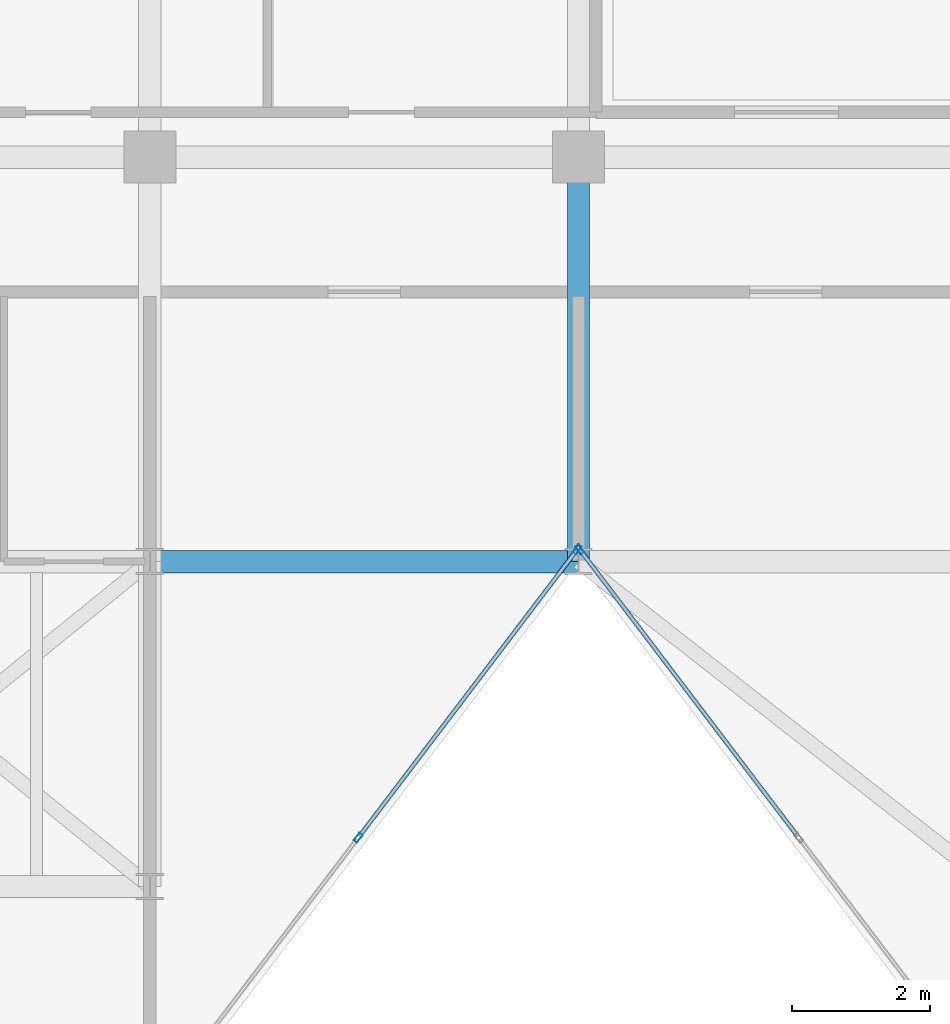
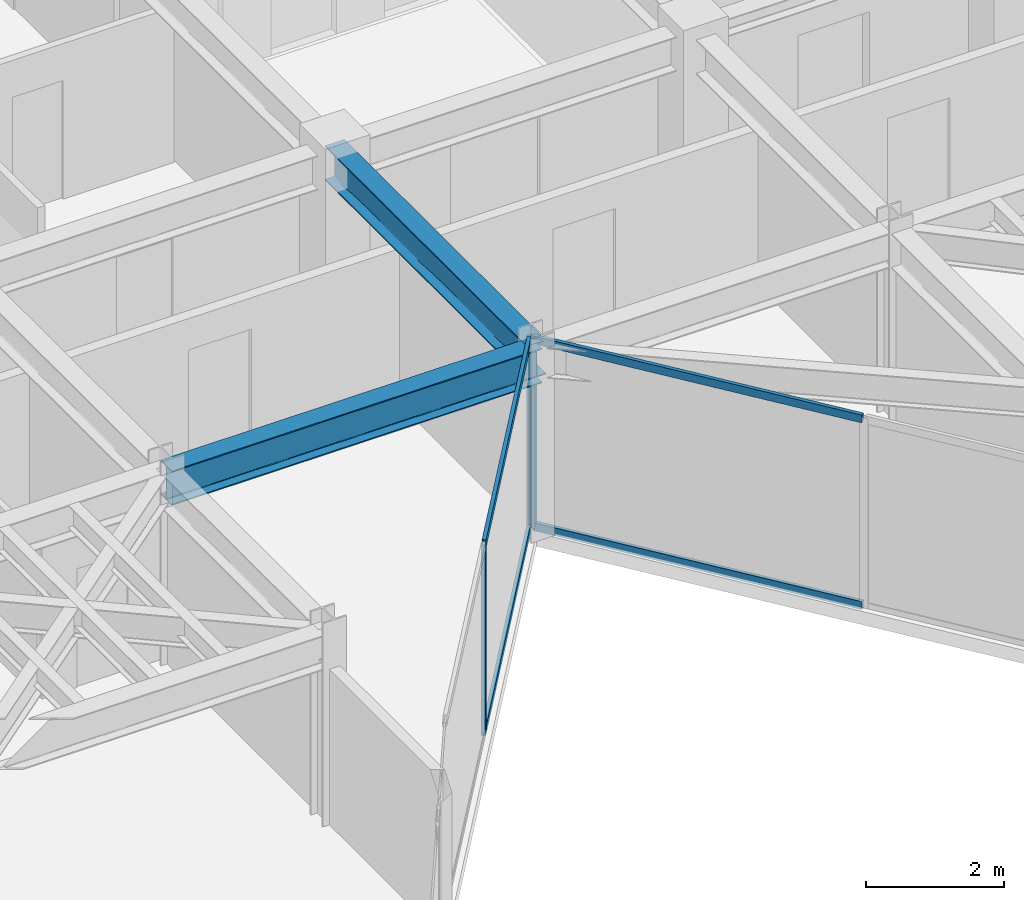
# One storey, part 4 of 17: 7 members, 2 beams, 2 elements without a shape of their own.
"""IFC4 building model written with IfcOpenShell, lengths in metres."""

from ifc_helpers import new_model, si_unit, direction, frame, origin, origin_2d, place, context, subcontext, project, spatial, hollow_rectangle, i_section, extrude, material, layer, layer_set, material_profile, profile_set, type_object, element, aggregate, save


model = new_model("IFC4")

# Units and contexts
model_context = context("Model", 3, precision=1e-05, world=origin(), true_north=direction((0.0, 1.0)))
body_context = subcontext(model_context, "Body", "Model", "MODEL_VIEW")
ifc_project = project(units=[si_unit("LENGTHUNIT", "METRE"), si_unit("AREAUNIT", "SQUARE_METRE"), si_unit("VOLUMEUNIT", "CUBIC_METRE"), si_unit("PLANEANGLEUNIT", "RADIAN"), si_unit("MASSUNIT", "GRAM", prefix="KILO")], contexts=[model_context])

# Site, building, storey
site_placement = place(None, origin())
site = spatial("IfcSite", under=ifc_project, at=site_placement, CompositionType="ELEMENT")
building_placement = place(site_placement, origin())
building = spatial("IfcBuilding", under=site, at=building_placement, Name="Kravanh Interchange Tower", CompositionType="ELEMENT")
storey_placement = place(building_placement, frame((0.0, 0.0, 289.5)))
storey = spatial("IfcBuildingStorey", under=building, at=storey_placement, Name="L71", CompositionType="ELEMENT", Elevation=289.5)

# Curtain wall, member
ifc_material_1 = material(Name="Anodised Bronze Aluminium", Category="aluminium")
ifc_layer = layer(ifc_material_1, 0.179931640625)
ifc_layer_set = layer_set([ifc_layer], Name="Unitised Curtain Wall System CW-HTL Luxury Hotel")
curtain_wall_type = type_object("IfcCurtainWallType", Name="Unitised Curtain Wall System CW-HTL Luxury Hotel", PredefinedType="NOTDEFINED", material=ifc_layer_set)
curtain_wall_1_placement = place(storey_placement, origin())
curtain_wall_1 = element("IfcCurtainWall", 1, at=curtain_wall_1_placement, inside=storey, type_object=curtain_wall_type, Name="L71 Unitised Curtain Wall CW-L71-04", PredefinedType="NOTDEFINED")
ifc_material_2 = material(Name="Anodised Bronze Aluminium", Category="aluminium")
ifc_material_profile_1 = material_profile(ifc_material_2, hollow_rectangle(XDim=0.06005859375, YDim=0.139892578125, WallThickness=0.00390625, at=origin_2d()), Name="ALU60X140X4")
ifc_profile_set_1 = profile_set([ifc_material_profile_1], Name="Anodised Bronze Aluminium")
member_type_1 = type_object("IfcMemberType", Name="Curtain Wall Mullion ALU60X140X4 Bronze", PredefinedType="MULLION", material=ifc_profile_set_1)
member_1_placement = place(storey_placement, frame((44.818115234375, 31.67431640625, 0.0), z_axis=(0.0, 0.0, 1.0), x_axis=(-0.79616243806, -0.605082946564, 0.0)))
member_1 = element("IfcMember", 2, at=member_1_placement, type_object=member_type_1, Name="CW-HTL mullion 4", PredefinedType="MULLION", context=body_context, shape_type="SweptSolid", body=[
    extrude(hollow_rectangle(XDim=0.06005859375, YDim=0.139892578125, WallThickness=0.00390625, at=origin_2d()), origin(), (0.0, 0.0, 1.0), 3.364990234375),
])

# Curtain wall, members
curtain_wall_2_placement = place(storey_placement, origin())
curtain_wall_2 = element("IfcCurtainWall", 3, at=curtain_wall_2_placement, inside=storey, type_object=curtain_wall_type, Name="L71 Unitised Curtain Wall CW-L71-05", PredefinedType="NOTDEFINED")
member_2_placement = place(storey_placement, frame((44.78173828125, 31.67431640625, 0.0), z_axis=(0.0, 0.0, 1.0), x_axis=(0.79616243806, -0.605082946564, 0.0)))
member_2 = element("IfcMember", 4, at=member_2_placement, type_object=member_type_1, Name="CW-HTL mullion 1", PredefinedType="MULLION", context=body_context, shape_type="SweptSolid", body=[
    extrude(hollow_rectangle(XDim=0.06005859375, YDim=0.139892578125, WallThickness=0.00390625, at=origin_2d()), origin(), (0.0, 0.0, 1.0), 3.364990234375),
])
member_3_placement = place(storey_placement, frame((41.613525390625, 27.505615234375, 0.0), z_axis=(0.0, 0.0, 1.0), x_axis=(0.79616243806, -0.605082946564, 0.0)))
member_3 = element("IfcMember", 5, at=member_3_placement, type_object=member_type_1, Name="CW-HTL mullion 2", PredefinedType="MULLION", context=body_context, shape_type="SweptSolid", body=[
    extrude(hollow_rectangle(XDim=0.06005859375, YDim=0.139892578125, WallThickness=0.00390625, at=origin_2d()), origin(), (0.0, 0.0, 1.0), 3.364990234375),
])

# Member
ifc_material_3 = material(Name="Anodised Bronze Aluminium", Category="aluminium")
ifc_material_profile_2 = material_profile(ifc_material_3, hollow_rectangle(XDim=0.06005859375, YDim=0.139892578125, WallThickness=0.00390625, at=origin_2d()), Name="ALU60X140X4")
ifc_profile_set_2 = profile_set([ifc_material_profile_2], Name="Anodised Bronze Aluminium")
member_type_2 = type_object("IfcMemberType", Name="Curtain Wall Transom ALU60X140X4 Bronze", PredefinedType="USERDEFINED", material=ifc_profile_set_2)
member_4_placement = place(storey_placement, frame((47.96826171875, 27.529296875, 0.030029296875), z_axis=(-0.605036627368, 0.796197638494, 0.0), x_axis=(-0.796197638494, -0.605036627368, 0.0)))
member_4 = element("IfcMember", 6, at=member_4_placement, type_object=member_type_2, Name="CW-HTL transom 3.1", ObjectType="TRANSOM", PredefinedType="USERDEFINED", context=body_context, shape_type="SweptSolid", body=[
    extrude(hollow_rectangle(XDim=0.06005859375, YDim=0.139892578125, WallThickness=0.00390625, at=origin_2d()), origin(), (0.0, 0.0, 1.0), 5.17626953125),
])

member_5_placement = place(storey_placement, frame((47.96826171875, 27.529296875, 3.3349609375), z_axis=(-0.605036627368, 0.796197638494, 0.0), x_axis=(-0.796197638494, -0.605036627368, 0.0)))
member_5 = element("IfcMember", 7, at=member_5_placement, type_object=member_type_2, Name="CW-HTL transom 3.2", ObjectType="TRANSOM", PredefinedType="USERDEFINED", context=body_context, shape_type="SweptSolid", body=[
    extrude(hollow_rectangle(XDim=0.06005859375, YDim=0.139892578125, WallThickness=0.00390625, at=origin_2d()), origin(), (0.0, 0.0, 1.0), 5.17626953125),
])

aggregate(curtain_wall_1, [member_1, member_4, member_5])

member_6_placement = place(storey_placement, frame((44.763671875, 31.650634765625, 0.030029296875), z_axis=(-0.605066525627, -0.796174917695, 0.0), x_axis=(0.796174917695, -0.605066525627, 0.0)))
member_6 = element("IfcMember", 8, at=member_6_placement, type_object=member_type_2, Name="CW-HTL transom 1.1", ObjectType="TRANSOM", PredefinedType="USERDEFINED", context=body_context, shape_type="SweptSolid", body=[
    extrude(hollow_rectangle(XDim=0.06005859375, YDim=0.139892578125, WallThickness=0.00390625, at=origin_2d()), origin(), (0.0, 0.0, 1.0), 5.176513671875),
])

member_7_placement = place(storey_placement, frame((44.763671875, 31.650634765625, 3.3349609375), z_axis=(-0.605066525627, -0.796174917695, 0.0), x_axis=(0.796174917695, -0.605066525627, 0.0)))
member_7 = element("IfcMember", 9, at=member_7_placement, type_object=member_type_2, Name="CW-HTL transom 1.2", ObjectType="TRANSOM", PredefinedType="USERDEFINED", context=body_context, shape_type="SweptSolid", body=[
    extrude(hollow_rectangle(XDim=0.06005859375, YDim=0.139892578125, WallThickness=0.00390625, at=origin_2d()), origin(), (0.0, 0.0, 1.0), 5.176513671875),
])

aggregate(curtain_wall_2, [member_2, member_3, member_6, member_7])

# Beams
ifc_material_4 = material(Name="Structural Steel S355", Category="steel")
ifc_material_profile_3 = material_profile(ifc_material_4, i_section(OverallWidth=0.323974609375, OverallDepth=0.611083984375, WebThickness=0.0126953125, FlangeThickness=0.01904296875, FilletRadius=0.02197265625, at=origin_2d()), Name="W24X104")
ifc_profile_set_3 = profile_set([ifc_material_profile_3], Name="Structural Steel S355")
beam_type = type_object("IfcBeamType", Name="Floor Beam W24X104 Structural Steel S355", PredefinedType="BEAM", material=ifc_profile_set_3)
beam_1_placement = place(storey_placement, frame((44.800048828125, 31.5, 3.0595703125), z_axis=(0.0, 1.0, 0.0), x_axis=(-1.0, 0.0, 0.0)))
element("IfcBeam", 10, at=beam_1_placement, inside=storey, type_object=beam_type, Name="L71 Primary Floor Girder 1", PredefinedType="BEAM", context=body_context, shape_type="SweptSolid", body=[
    extrude(i_section(OverallWidth=0.323974609375, OverallDepth=0.611083984375, WebThickness=0.0126953125, FlangeThickness=0.01904296875, FilletRadius=0.02197265625, at=origin_2d()), origin(), (0.0, 0.0, 1.0), 5.85009765625),
])
beam_2_placement = place(storey_placement, frame((44.800048828125, 31.5, 3.0595703125), z_axis=(-1.0, 0.0, 0.0), x_axis=(0.0, -1.0, 0.0)))
element("IfcBeam", 11, at=beam_2_placement, inside=storey, type_object=beam_type, Name="L71 Primary Floor Girder 3", PredefinedType="BEAM", context=body_context, shape_type="SweptSolid", body=[
    extrude(i_section(OverallWidth=0.323974609375, OverallDepth=0.611083984375, WebThickness=0.0126953125, FlangeThickness=0.01904296875, FilletRadius=0.02197265625, at=origin_2d()), origin(), (0.0, 0.0, 1.0), 6.199951171875),
])

save(model, "model.ifc")
